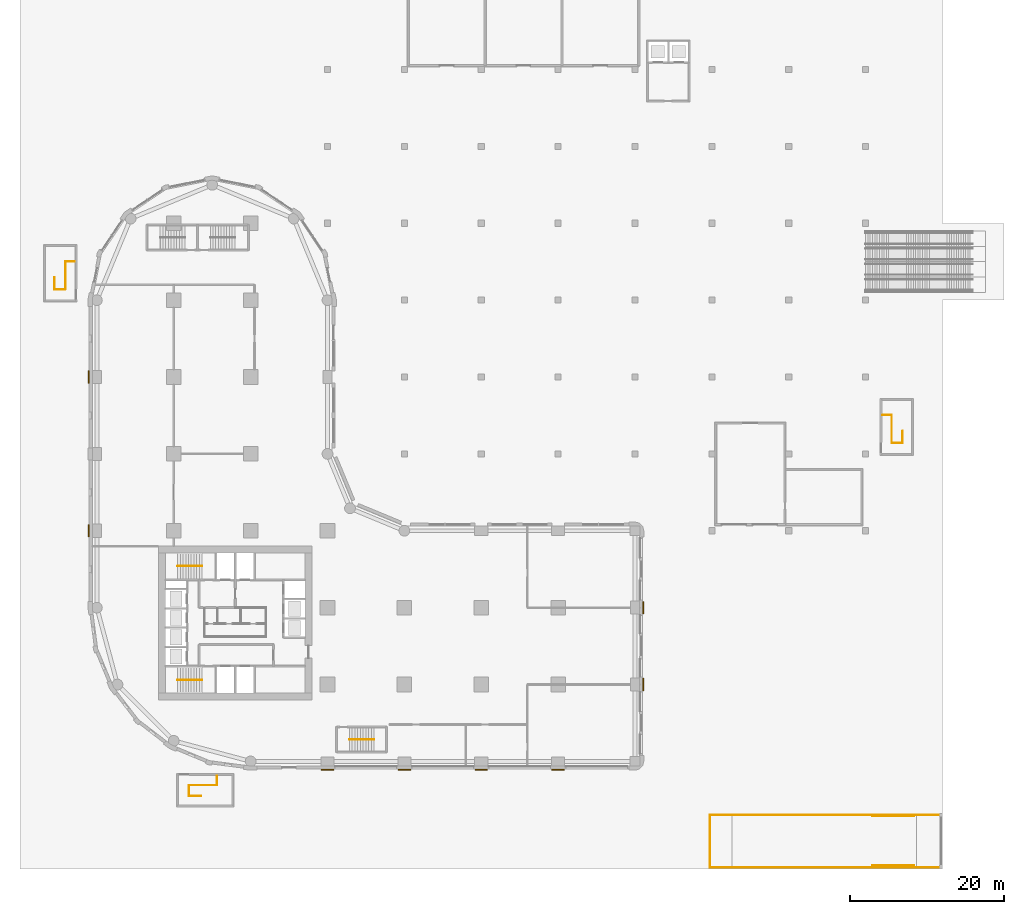
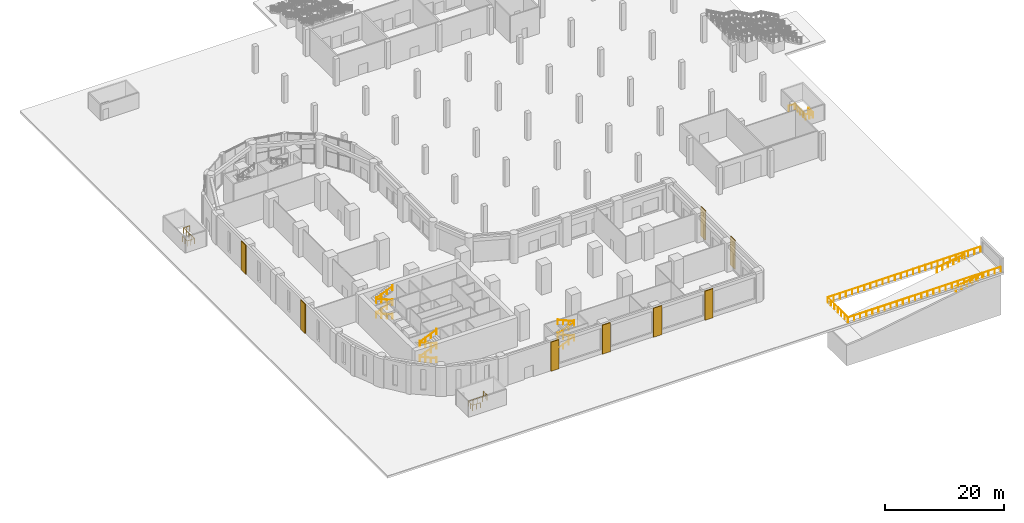
# One storey, part 16 of 21: 20 railings, 8 coverings.
"""IFC4 building model written with IfcOpenShell, lengths in metres."""

from ifc_helpers import new_model, si_unit, direction, frame, origin, origin_2d, place, context, subcontext, project, spatial, polyline, circle, outline, extrude, material, layer, layer_set, type_object, element, save


model = new_model("IFC4")

# Units and contexts
model_context = context("Model", 3, precision=1e-05, world=origin(), true_north=direction((0.0, 1.0)))
body_context = subcontext(model_context, "Body", "Model", "MODEL_VIEW")
ifc_project = project(units=[si_unit("LENGTHUNIT", "METRE"), si_unit("AREAUNIT", "SQUARE_METRE"), si_unit("VOLUMEUNIT", "CUBIC_METRE"), si_unit("PLANEANGLEUNIT", "RADIAN"), si_unit("MASSUNIT", "GRAM", prefix="KILO")], contexts=[model_context])

# Site, building, storey
site_placement = place(None, origin())
site = spatial("IfcSite", under=ifc_project, at=site_placement, CompositionType="ELEMENT")
building_placement = place(site_placement, origin())
building = spatial("IfcBuilding", under=site, at=building_placement, Name="Qaws Garden Tower", CompositionType="ELEMENT")
storey_placement = place(building_placement, origin())
storey = spatial("IfcBuildingStorey", under=building, at=storey_placement, Name="L00", CompositionType="ELEMENT", Elevation=0.0)

# Railings
ifc_material_1 = material(Name="Steel S355", Category="steel")
railing_type_1 = type_object("IfcRailingType", Name="Guard steel balustrade 1100", PredefinedType="GUARDRAIL", material=ifc_material_1)
railing_1_placement = place(storey_placement, frame((109.5, -13.800048828125, 0.0)))
element("IfcRailing", 1, at=railing_1_placement, inside=storey, type_object=railing_type_1, Name="Ramp guard south", PredefinedType="GUARDRAIL", context=body_context, shape_type="SweptSolid", body=[
    extrude(circle(Radius=0.02392578125, at=origin_2d()), frame((0.0, 0.0, 1.076171875), z_axis=(-1.0, 0.0, 0.0), x_axis=(0.0, -1.0, 0.0)), (0.0, 0.0, 1.0), 29.75),
    extrude(circle(Radius=0.02099609375, at=origin_2d()), origin(), (0.0, 0.0, 1.0), 1.052001953125),
    extrude(circle(Radius=0.02099609375, at=origin_2d()), frame((-1.18994140625, 0.0, 0.0)), (0.0, 0.0, 1.0), 1.052001953125),
    extrude(circle(Radius=0.02099609375, at=origin_2d()), frame((-2.3798828125, 0.0, 0.0)), (0.0, 0.0, 1.0), 1.052001953125),
    extrude(circle(Radius=0.02099609375, at=origin_2d()), frame((-3.570068359375, 0.0, 0.0)), (0.0, 0.0, 1.0), 1.052001953125),
    extrude(circle(Radius=0.02099609375, at=origin_2d()), frame((-4.760009765625, 0.0, 0.0)), (0.0, 0.0, 1.0), 1.052001953125),
    extrude(circle(Radius=0.02099609375, at=origin_2d()), frame((-5.949951171875, 0.0, 0.0)), (0.0, 0.0, 1.0), 1.052001953125),
    extrude(circle(Radius=0.02099609375, at=origin_2d()), frame((-7.139892578125, 0.0, 0.0)), (0.0, 0.0, 1.0), 1.052001953125),
    extrude(circle(Radius=0.02099609375, at=origin_2d()), frame((-8.330078125, 0.0, 0.0)), (0.0, 0.0, 1.0), 1.052001953125),
    extrude(circle(Radius=0.02099609375, at=origin_2d()), frame((-9.52001953125, 0.0, 0.0)), (0.0, 0.0, 1.0), 1.052001953125),
    extrude(circle(Radius=0.02099609375, at=origin_2d()), frame((-10.7099609375, 0.0, 0.0)), (0.0, 0.0, 1.0), 1.052001953125),
    extrude(circle(Radius=0.02099609375, at=origin_2d()), frame((-11.89990234375, 0.0, 0.0)), (0.0, 0.0, 1.0), 1.052001953125),
    extrude(circle(Radius=0.02099609375, at=origin_2d()), frame((-13.090087890625, 0.0, 0.0)), (0.0, 0.0, 1.0), 1.052001953125),
    extrude(circle(Radius=0.02099609375, at=origin_2d()), frame((-14.280029296875, 0.0, 0.0)), (0.0, 0.0, 1.0), 1.052001953125),
    extrude(circle(Radius=0.02099609375, at=origin_2d()), frame((-15.469970703125, 0.0, 0.0)), (0.0, 0.0, 1.0), 1.052001953125),
    extrude(circle(Radius=0.02099609375, at=origin_2d()), frame((-16.659912109375, 0.0, 0.0)), (0.0, 0.0, 1.0), 1.052001953125),
    extrude(circle(Radius=0.02099609375, at=origin_2d()), frame((-17.85009765625, 0.0, 0.0)), (0.0, 0.0, 1.0), 1.052001953125),
    extrude(circle(Radius=0.02099609375, at=origin_2d()), frame((-19.0400390625, 0.0, 0.0)), (0.0, 0.0, 1.0), 1.052001953125),
    extrude(circle(Radius=0.02099609375, at=origin_2d()), frame((-20.22998046875, 0.0, 0.0)), (0.0, 0.0, 1.0), 1.052001953125),
    extrude(circle(Radius=0.02099609375, at=origin_2d()), frame((-21.419921875, 0.0, 0.0)), (0.0, 0.0, 1.0), 1.052001953125),
    extrude(circle(Radius=0.02099609375, at=origin_2d()), frame((-22.610107421875, 0.0, 0.0)), (0.0, 0.0, 1.0), 1.052001953125),
    extrude(circle(Radius=0.02099609375, at=origin_2d()), frame((-23.800048828125, 0.0, 0.0)), (0.0, 0.0, 1.0), 1.052001953125),
    extrude(circle(Radius=0.02099609375, at=origin_2d()), frame((-24.989990234375, 0.0, 0.0)), (0.0, 0.0, 1.0), 1.052001953125),
    extrude(circle(Radius=0.02099609375, at=origin_2d()), frame((-26.179931640625, 0.0, 0.0)), (0.0, 0.0, 1.0), 1.052001953125),
    extrude(circle(Radius=0.02099609375, at=origin_2d()), frame((-27.3701171875, 0.0, 0.0)), (0.0, 0.0, 1.0), 1.052001953125),
    extrude(circle(Radius=0.02099609375, at=origin_2d()), frame((-28.56005859375, 0.0, 0.0)), (0.0, 0.0, 1.0), 1.052001953125),
    extrude(circle(Radius=0.02099609375, at=origin_2d()), frame((-29.75, 0.0, 0.0)), (0.0, 0.0, 1.0), 1.052001953125),
])
railing_2_placement = place(storey_placement, frame((79.75, -13.800048828125, 0.0)))
element("IfcRailing", 2, at=railing_2_placement, inside=storey, type_object=railing_type_1, Name="Ramp guard west end", PredefinedType="GUARDRAIL", context=body_context, shape_type="SweptSolid", body=[
    extrude(circle(Radius=0.02392578125, at=origin_2d()), frame((0.0, 0.0, 1.076171875), z_axis=(0.0, 1.0, 0.0), x_axis=(-1.0, 0.0, 0.0)), (0.0, 0.0, 1.0), 6.85009765625),
    extrude(circle(Radius=0.02099609375, at=origin_2d()), origin(), (0.0, 0.0, 1.0), 1.052001953125),
    extrude(circle(Radius=0.02099609375, at=origin_2d()), frame((0.0, 1.1416015625, 0.0)), (0.0, 0.0, 1.0), 1.052001953125),
    extrude(circle(Radius=0.02099609375, at=origin_2d()), frame((0.0, 2.283447265625, 0.0)), (0.0, 0.0, 1.0), 1.052001953125),
    extrude(circle(Radius=0.02099609375, at=origin_2d()), frame((0.0, 3.425048828125, 0.0)), (0.0, 0.0, 1.0), 1.052001953125),
    extrude(circle(Radius=0.02099609375, at=origin_2d()), frame((0.0, 4.566650390625, 0.0)), (0.0, 0.0, 1.0), 1.052001953125),
    extrude(circle(Radius=0.02099609375, at=origin_2d()), frame((0.0, 5.70849609375, 0.0)), (0.0, 0.0, 1.0), 1.052001953125),
    extrude(circle(Radius=0.02099609375, at=origin_2d()), frame((0.0, 6.85009765625, 0.0)), (0.0, 0.0, 1.0), 1.052001953125),
])
railing_3_placement = place(storey_placement, frame((79.75, -6.949951171875, 0.0)))
element("IfcRailing", 3, at=railing_3_placement, inside=storey, type_object=railing_type_1, Name="Ramp guard north", PredefinedType="GUARDRAIL", context=body_context, shape_type="SweptSolid", body=[
    extrude(circle(Radius=0.02392578125, at=origin_2d()), frame((0.0, 0.0, 1.076171875), z_axis=(1.0, 0.0, 0.0), x_axis=(0.0, 1.0, 0.0)), (0.0, 0.0, 1.0), 29.75),
    extrude(circle(Radius=0.02099609375, at=origin_2d()), origin(), (0.0, 0.0, 1.0), 1.052001953125),
    extrude(circle(Radius=0.02099609375, at=origin_2d()), frame((1.18994140625, 0.0, 0.0)), (0.0, 0.0, 1.0), 1.052001953125),
    extrude(circle(Radius=0.02099609375, at=origin_2d()), frame((2.3798828125, 0.0, 0.0)), (0.0, 0.0, 1.0), 1.052001953125),
    extrude(circle(Radius=0.02099609375, at=origin_2d()), frame((3.570068359375, 0.0, 0.0)), (0.0, 0.0, 1.0), 1.052001953125),
    extrude(circle(Radius=0.02099609375, at=origin_2d()), frame((4.760009765625, 0.0, 0.0)), (0.0, 0.0, 1.0), 1.052001953125),
    extrude(circle(Radius=0.02099609375, at=origin_2d()), frame((5.949951171875, 0.0, 0.0)), (0.0, 0.0, 1.0), 1.052001953125),
    extrude(circle(Radius=0.02099609375, at=origin_2d()), frame((7.139892578125, 0.0, 0.0)), (0.0, 0.0, 1.0), 1.052001953125),
    extrude(circle(Radius=0.02099609375, at=origin_2d()), frame((8.330078125, 0.0, 0.0)), (0.0, 0.0, 1.0), 1.052001953125),
    extrude(circle(Radius=0.02099609375, at=origin_2d()), frame((9.52001953125, 0.0, 0.0)), (0.0, 0.0, 1.0), 1.052001953125),
    extrude(circle(Radius=0.02099609375, at=origin_2d()), frame((10.7099609375, 0.0, 0.0)), (0.0, 0.0, 1.0), 1.052001953125),
    extrude(circle(Radius=0.02099609375, at=origin_2d()), frame((11.89990234375, 0.0, 0.0)), (0.0, 0.0, 1.0), 1.052001953125),
    extrude(circle(Radius=0.02099609375, at=origin_2d()), frame((13.090087890625, 0.0, 0.0)), (0.0, 0.0, 1.0), 1.052001953125),
    extrude(circle(Radius=0.02099609375, at=origin_2d()), frame((14.280029296875, 0.0, 0.0)), (0.0, 0.0, 1.0), 1.052001953125),
    extrude(circle(Radius=0.02099609375, at=origin_2d()), frame((15.469970703125, 0.0, 0.0)), (0.0, 0.0, 1.0), 1.052001953125),
    extrude(circle(Radius=0.02099609375, at=origin_2d()), frame((16.659912109375, 0.0, 0.0)), (0.0, 0.0, 1.0), 1.052001953125),
    extrude(circle(Radius=0.02099609375, at=origin_2d()), frame((17.85009765625, 0.0, 0.0)), (0.0, 0.0, 1.0), 1.052001953125),
    extrude(circle(Radius=0.02099609375, at=origin_2d()), frame((19.0400390625, 0.0, 0.0)), (0.0, 0.0, 1.0), 1.052001953125),
    extrude(circle(Radius=0.02099609375, at=origin_2d()), frame((20.22998046875, 0.0, 0.0)), (0.0, 0.0, 1.0), 1.052001953125),
    extrude(circle(Radius=0.02099609375, at=origin_2d()), frame((21.419921875, 0.0, 0.0)), (0.0, 0.0, 1.0), 1.052001953125),
    extrude(circle(Radius=0.02099609375, at=origin_2d()), frame((22.610107421875, 0.0, 0.0)), (0.0, 0.0, 1.0), 1.052001953125),
    extrude(circle(Radius=0.02099609375, at=origin_2d()), frame((23.800048828125, 0.0, 0.0)), (0.0, 0.0, 1.0), 1.052001953125),
    extrude(circle(Radius=0.02099609375, at=origin_2d()), frame((24.989990234375, 0.0, 0.0)), (0.0, 0.0, 1.0), 1.052001953125),
    extrude(circle(Radius=0.02099609375, at=origin_2d()), frame((26.179931640625, 0.0, 0.0)), (0.0, 0.0, 1.0), 1.052001953125),
    extrude(circle(Radius=0.02099609375, at=origin_2d()), frame((27.3701171875, 0.0, 0.0)), (0.0, 0.0, 1.0), 1.052001953125),
    extrude(circle(Radius=0.02099609375, at=origin_2d()), frame((28.56005859375, 0.0, 0.0)), (0.0, 0.0, 1.0), 1.052001953125),
    extrude(circle(Radius=0.02099609375, at=origin_2d()), frame((29.75, 0.0, 0.0)), (0.0, 0.0, 1.0), 1.052001953125),
])
for number, where, name in (
    (4, (106.300048828125, -7.139892578125, -0.300048828125), "Ramp guard north on ramp"),
    (5, (106.300048828125, -13.56005859375, -0.300048828125), "Ramp guard south on ramp"),
):
    element("IfcRailing", number, at=place(storey_placement, frame(where)), inside=storey, type_object=railing_type_1, Name=name, PredefinedType="GUARDRAIL", context=body_context, shape_type="SweptSolid", body=[
        extrude(circle(Radius=0.02392578125, at=origin_2d()), frame((0.0, 0.0, 1.076171875), z_axis=(-0.986397539407, 0.0, -0.164377292385), x_axis=(0.0, -1.0, 0.0)), (0.0, 0.0, 1.0), 5.474609375),
        extrude(circle(Radius=0.02099609375, at=origin_2d()), origin(), (0.0, 0.0, 1.0), 1.052001953125),
        extrude(circle(Radius=0.02099609375, at=origin_2d()), frame((-1.080078125, 0.0, -0.179931640625)), (0.0, 0.0, 1.0), 1.052001953125),
        extrude(circle(Radius=0.02099609375, at=origin_2d()), frame((-2.16015625, 0.0, -0.35986328125)), (0.0, 0.0, 1.0), 1.052001953125),
        extrude(circle(Radius=0.02099609375, at=origin_2d()), frame((-3.239990234375, 0.0, -0.5400390625)), (0.0, 0.0, 1.0), 1.052001953125),
        extrude(circle(Radius=0.02099609375, at=origin_2d()), frame((-4.320068359375, 0.0, -0.719970703125)), (0.0, 0.0, 1.0), 1.052001953125),
        extrude(circle(Radius=0.02099609375, at=origin_2d()), frame((-5.400146484375, 0.0, -0.89990234375)), (0.0, 0.0, 1.0), 1.052001953125),
    ])
railing_4_placement = place(storey_placement, frame((102.199951171875, 45.0400390625, 0.0)))
element("IfcRailing", 6, at=railing_4_placement, inside=storey, type_object=railing_type_1, Name="Stair opening guard", PredefinedType="GUARDRAIL", context=body_context, shape_type="SweptSolid", body=[
    extrude(circle(Radius=0.02392578125, at=origin_2d()), frame((0.0, 0.0, 1.076171875), z_axis=(1.0, 0.0, 0.0), x_axis=(0.0, 1.0, 0.0)), (0.0, 0.0, 1.0), 1.199951171875),
    extrude(circle(Radius=0.02392578125, at=origin_2d()), frame((1.199951171875, 0.0, 1.076171875), z_axis=(0.0, -1.0, 0.0), x_axis=(1.0, 0.0, 0.0)), (0.0, 0.0, 1.0), 3.64013671875),
    extrude(circle(Radius=0.02392578125, at=origin_2d()), frame((1.199951171875, -3.64013671875, 1.076171875), z_axis=(1.0, 0.0, 0.0), x_axis=(0.0, 1.0, 0.0)), (0.0, 0.0, 1.0), 1.400146484375),
    extrude(circle(Radius=0.02392578125, at=origin_2d()), frame((2.60009765625, -3.64013671875, 1.076171875), z_axis=(0.0, 1.0, 0.0), x_axis=(-1.0, 0.0, 0.0)), (0.0, 0.0, 1.0), 1.56005859375),
    extrude(circle(Radius=0.02099609375, at=origin_2d()), origin(), (0.0, 0.0, 1.0), 1.052001953125),
    extrude(circle(Radius=0.02099609375, at=origin_2d()), frame((1.199951171875, 0.0, 0.0)), (0.0, 0.0, 1.0), 1.052001953125),
    extrude(circle(Radius=0.02099609375, at=origin_2d()), frame((1.199951171875, -0.91015625, 0.0)), (0.0, 0.0, 1.0), 1.052001953125),
    extrude(circle(Radius=0.02099609375, at=origin_2d()), frame((1.199951171875, -1.820068359375, 0.0)), (0.0, 0.0, 1.0), 1.052001953125),
    extrude(circle(Radius=0.02099609375, at=origin_2d()), frame((1.199951171875, -2.72998046875, 0.0)), (0.0, 0.0, 1.0), 1.052001953125),
    extrude(circle(Radius=0.02099609375, at=origin_2d()), frame((1.199951171875, -3.64013671875, 0.0)), (0.0, 0.0, 1.0), 1.052001953125),
    extrude(circle(Radius=0.02099609375, at=origin_2d()), frame((1.89990234375, -3.64013671875, 0.0)), (0.0, 0.0, 1.0), 1.052001953125),
    extrude(circle(Radius=0.02099609375, at=origin_2d()), frame((2.60009765625, -3.64013671875, 0.0)), (0.0, 0.0, 1.0), 1.052001953125),
    extrude(circle(Radius=0.02099609375, at=origin_2d()), frame((2.60009765625, -2.860107421875, 0.0)), (0.0, 0.0, 1.0), 1.052001953125),
    extrude(circle(Radius=0.02099609375, at=origin_2d()), frame((2.60009765625, -2.080078125, 0.0)), (0.0, 0.0, 1.0), 1.052001953125),
])
railing_5_placement = place(storey_placement, frame((-2.89990234375, 65.0400390625, 0.0)))
element("IfcRailing", 7, at=railing_5_placement, inside=storey, type_object=railing_type_1, Name="Stair opening guard", PredefinedType="GUARDRAIL", context=body_context, shape_type="SweptSolid", body=[
    extrude(circle(Radius=0.02392578125, at=origin_2d()), frame((0.0, 0.0, 1.076171875), z_axis=(-1.0, 0.0, 0.0), x_axis=(0.0, -1.0, 0.0)), (0.0, 0.0, 1.0), 1.2001953125),
    extrude(circle(Radius=0.02392578125, at=origin_2d()), frame((-1.2001953125, 0.0, 1.076171875), z_axis=(0.0, -1.0, 0.0), x_axis=(1.0, 0.0, 0.0)), (0.0, 0.0, 1.0), 3.64013671875),
    extrude(circle(Radius=0.02392578125, at=origin_2d()), frame((-1.2001953125, -3.64013671875, 1.076171875), z_axis=(-1.0, 0.0, 0.0), x_axis=(0.0, -1.0, 0.0)), (0.0, 0.0, 1.0), 1.39990234375),
    extrude(circle(Radius=0.02392578125, at=origin_2d()), frame((-2.60009765625, -3.64013671875, 1.076171875), z_axis=(0.0, 1.0, 0.0), x_axis=(-1.0, 0.0, 0.0)), (0.0, 0.0, 1.0), 1.56005859375),
    extrude(circle(Radius=0.02099609375, at=origin_2d()), origin(), (0.0, 0.0, 1.0), 1.052001953125),
    extrude(circle(Radius=0.02099609375, at=origin_2d()), frame((-0.60009765625, 0.0, 0.0)), (0.0, 0.0, 1.0), 1.052001953125),
    extrude(circle(Radius=0.02099609375, at=origin_2d()), frame((-1.2001953125, 0.0, 0.0)), (0.0, 0.0, 1.0), 1.052001953125),
    extrude(circle(Radius=0.02099609375, at=origin_2d()), frame((-1.2001953125, -0.91015625, 0.0)), (0.0, 0.0, 1.0), 1.052001953125),
    extrude(circle(Radius=0.02099609375, at=origin_2d()), frame((-1.2001953125, -1.820068359375, 0.0)), (0.0, 0.0, 1.0), 1.052001953125),
    extrude(circle(Radius=0.02099609375, at=origin_2d()), frame((-1.2001953125, -2.72998046875, 0.0)), (0.0, 0.0, 1.0), 1.052001953125),
    extrude(circle(Radius=0.02099609375, at=origin_2d()), frame((-1.2001953125, -3.64013671875, 0.0)), (0.0, 0.0, 1.0), 1.052001953125),
    extrude(circle(Radius=0.02099609375, at=origin_2d()), frame((-1.900146484375, -3.64013671875, 0.0)), (0.0, 0.0, 1.0), 1.052001953125),
    extrude(circle(Radius=0.02099609375, at=origin_2d()), frame((-2.60009765625, -3.64013671875, 0.0)), (0.0, 0.0, 1.0), 1.052001953125),
    extrude(circle(Radius=0.02099609375, at=origin_2d()), frame((-2.60009765625, -2.860107421875, 0.0)), (0.0, 0.0, 1.0), 1.052001953125),
    extrude(circle(Radius=0.02099609375, at=origin_2d()), frame((-2.60009765625, -2.080078125, 0.0)), (0.0, 0.0, 1.0), 1.052001953125),
])
railing_6_placement = place(storey_placement, frame((15.639892578125, -1.89990234375, 0.0)))
element("IfcRailing", 8, at=railing_6_placement, inside=storey, type_object=railing_type_1, Name="Stair opening guard", PredefinedType="GUARDRAIL", context=body_context, shape_type="SweptSolid", body=[
    extrude(circle(Radius=0.02392578125, at=origin_2d()), frame((0.0, 0.0, 1.076171875), z_axis=(0.0, -1.0, 0.0), x_axis=(1.0, 0.0, 0.0)), (0.0, 0.0, 1.0), 1.2001953125),
    extrude(circle(Radius=0.02392578125, at=origin_2d()), frame((0.0, -1.2001953125, 1.076171875), z_axis=(-1.0, 0.0, 0.0), x_axis=(0.0, -1.0, 0.0)), (0.0, 0.0, 1.0), 3.639892578125),
    extrude(circle(Radius=0.02392578125, at=origin_2d()), frame((-3.639892578125, -1.2001953125, 1.076171875), z_axis=(0.0, -1.0, 0.0), x_axis=(1.0, 0.0, 0.0)), (0.0, 0.0, 1.0), 1.39990234375),
    extrude(circle(Radius=0.02392578125, at=origin_2d()), frame((-3.639892578125, -2.60009765625, 1.076171875), z_axis=(1.0, 0.0, 0.0), x_axis=(0.0, 1.0, 0.0)), (0.0, 0.0, 1.0), 1.56005859375),
    extrude(circle(Radius=0.02099609375, at=origin_2d()), origin(), (0.0, 0.0, 1.0), 1.052001953125),
    extrude(circle(Radius=0.02099609375, at=origin_2d()), frame((0.0, -0.60009765625, 0.0)), (0.0, 0.0, 1.0), 1.052001953125),
    extrude(circle(Radius=0.02099609375, at=origin_2d()), frame((0.0, -1.2001953125, 0.0)), (0.0, 0.0, 1.0), 1.052001953125),
    extrude(circle(Radius=0.02099609375, at=origin_2d()), frame((-0.909912109375, -1.2001953125, 0.0)), (0.0, 0.0, 1.0), 1.052001953125),
    extrude(circle(Radius=0.02099609375, at=origin_2d()), frame((-1.81982421875, -1.2001953125, 0.0)), (0.0, 0.0, 1.0), 1.052001953125),
    extrude(circle(Radius=0.02099609375, at=origin_2d()), frame((-2.72998046875, -1.2001953125, 0.0)), (0.0, 0.0, 1.0), 1.052001953125),
    extrude(circle(Radius=0.02099609375, at=origin_2d()), frame((-3.639892578125, -1.2001953125, 0.0)), (0.0, 0.0, 1.0), 1.052001953125),
    extrude(circle(Radius=0.02099609375, at=origin_2d()), frame((-3.639892578125, -1.900146484375, 0.0)), (0.0, 0.0, 1.0), 1.052001953125),
    extrude(circle(Radius=0.02099609375, at=origin_2d()), frame((-3.639892578125, -2.60009765625, 0.0)), (0.0, 0.0, 1.0), 1.052001953125),
    extrude(circle(Radius=0.02099609375, at=origin_2d()), frame((-2.85986328125, -2.60009765625, 0.0)), (0.0, 0.0, 1.0), 1.052001953125),
    extrude(circle(Radius=0.02099609375, at=origin_2d()), frame((-2.079833984375, -2.60009765625, 0.0)), (0.0, 0.0, 1.0), 1.052001953125),
])
ifc_material_2 = material(Name="Steel S355", Category="steel")
railing_type_2 = type_object("IfcRailingType", Name="Stair handrail 900", PredefinedType="HANDRAIL", material=ifc_material_2)
railing_7_placement = place(storey_placement, frame((13.699951171875, 10.60009765625, 0.14990234375)))
element("IfcRailing", 9, at=railing_7_placement, inside=storey, type_object=railing_type_2, Name="Stair 1 handrail", PredefinedType="HANDRAIL", context=body_context, shape_type="SweptSolid", body=[
    extrude(circle(Radius=0.02392578125, at=origin_2d()), frame((0.0, 0.0, 0.8759765625), z_axis=(-0.921521658771, 0.0, 0.388326965862), x_axis=(0.0, -1.0, 0.0)), (0.0, 0.0, 1.0), 3.476806640625),
    extrude(circle(Radius=0.02099609375, at=origin_2d()), origin(), (0.0, 0.0, 1.0), 1.050048828125),
    extrude(circle(Radius=0.02099609375, at=origin_2d()), frame((-1.06787109375, 0.0, 0.449951171875)), (0.0, 0.0, 1.0), 0.851806640625),
    extrude(circle(Radius=0.02099609375, at=origin_2d()), frame((-2.135986328125, 0.0, 0.900146484375)), (0.0, 0.0, 1.0), 0.851806640625),
    extrude(circle(Radius=0.02099609375, at=origin_2d()), frame((-3.203857421875, 0.0, 1.35009765625)), (0.0, 0.0, 1.0), 1.050048828125),
])
railing_8_placement = place(storey_placement, frame((10.49609375, 10.60009765625, 1.64990234375)))
element("IfcRailing", 10, at=railing_8_placement, inside=storey, type_object=railing_type_2, Name="Stair 1 handrail", PredefinedType="HANDRAIL", context=body_context, shape_type="SweptSolid", body=[
    extrude(circle(Radius=0.02392578125, at=origin_2d()), frame((0.0, 0.0, 0.8759765625), z_axis=(0.921521658771, 0.0, 0.388326965862), x_axis=(0.0, 1.0, 0.0)), (0.0, 0.0, 1.0), 3.476806640625),
    extrude(circle(Radius=0.02099609375, at=origin_2d()), origin(), (0.0, 0.0, 1.0), 1.050048828125),
    extrude(circle(Radius=0.02099609375, at=origin_2d()), frame((1.06787109375, 0.0, 0.449951171875)), (0.0, 0.0, 1.0), 0.851806640625),
    extrude(circle(Radius=0.02099609375, at=origin_2d()), frame((2.135986328125, 0.0, 0.900146484375)), (0.0, 0.0, 1.0), 0.851806640625),
    extrude(circle(Radius=0.02099609375, at=origin_2d()), frame((3.203857421875, 0.0, 1.35009765625)), (0.0, 0.0, 1.0), 1.050048828125),
])
railing_9_placement = place(storey_placement, frame((13.699951171875, 10.60009765625, 3.14990234375)))
element("IfcRailing", 11, at=railing_9_placement, inside=storey, type_object=railing_type_2, Name="Stair 1 handrail", PredefinedType="HANDRAIL", context=body_context, shape_type="SweptSolid", body=[
    extrude(circle(Radius=0.02392578125, at=origin_2d()), frame((0.0, 0.0, 0.8759765625), z_axis=(-0.921521658771, 0.0, 0.388326965862), x_axis=(0.0, -1.0, 0.0)), (0.0, 0.0, 1.0), 3.476806640625),
    extrude(circle(Radius=0.02099609375, at=origin_2d()), origin(), (0.0, 0.0, 1.0), 1.050048828125),
    extrude(circle(Radius=0.02099609375, at=origin_2d()), frame((-1.06787109375, 0.0, 0.449951171875)), (0.0, 0.0, 1.0), 0.851806640625),
    extrude(circle(Radius=0.02099609375, at=origin_2d()), frame((-2.135986328125, 0.0, 0.900146484375)), (0.0, 0.0, 1.0), 0.851806640625),
    extrude(circle(Radius=0.02099609375, at=origin_2d()), frame((-3.203857421875, 0.0, 1.35009765625)), (0.0, 0.0, 1.0), 1.050048828125),
])
railing_10_placement = place(storey_placement, frame((10.49609375, 10.60009765625, 4.64990234375)))
element("IfcRailing", 12, at=railing_10_placement, inside=storey, type_object=railing_type_2, Name="Stair 1 handrail", PredefinedType="HANDRAIL", context=body_context, shape_type="SweptSolid", body=[
    extrude(circle(Radius=0.02392578125, at=origin_2d()), frame((0.0, 0.0, 0.8759765625), z_axis=(0.921521658771, 0.0, 0.388326965862), x_axis=(0.0, 1.0, 0.0)), (0.0, 0.0, 1.0), 3.476806640625),
    extrude(circle(Radius=0.02099609375, at=origin_2d()), origin(), (0.0, 0.0, 1.0), 1.050048828125),
    extrude(circle(Radius=0.02099609375, at=origin_2d()), frame((1.06787109375, 0.0, 0.449951171875)), (0.0, 0.0, 1.0), 0.851806640625),
    extrude(circle(Radius=0.02099609375, at=origin_2d()), frame((2.135986328125, 0.0, 0.900146484375)), (0.0, 0.0, 1.0), 0.851806640625),
    extrude(circle(Radius=0.02099609375, at=origin_2d()), frame((3.203857421875, 0.0, 1.35009765625)), (0.0, 0.0, 1.0), 1.050048828125),
])
railing_11_placement = place(storey_placement, frame((13.699951171875, 25.39990234375, 0.14990234375)))
element("IfcRailing", 13, at=railing_11_placement, inside=storey, type_object=railing_type_2, Name="Stair 4 handrail", PredefinedType="HANDRAIL", context=body_context, shape_type="SweptSolid", body=[
    extrude(circle(Radius=0.02392578125, at=origin_2d()), frame((0.0, 0.0, 0.8759765625), z_axis=(-0.921521658771, 0.0, 0.388326965862), x_axis=(0.0, -1.0, 0.0)), (0.0, 0.0, 1.0), 3.476806640625),
    extrude(circle(Radius=0.02099609375, at=origin_2d()), origin(), (0.0, 0.0, 1.0), 1.050048828125),
    extrude(circle(Radius=0.02099609375, at=origin_2d()), frame((-1.06787109375, 0.0, 0.449951171875)), (0.0, 0.0, 1.0), 0.851806640625),
    extrude(circle(Radius=0.02099609375, at=origin_2d()), frame((-2.135986328125, 0.0, 0.900146484375)), (0.0, 0.0, 1.0), 0.851806640625),
    extrude(circle(Radius=0.02099609375, at=origin_2d()), frame((-3.203857421875, 0.0, 1.35009765625)), (0.0, 0.0, 1.0), 1.050048828125),
])
railing_12_placement = place(storey_placement, frame((10.49609375, 25.39990234375, 1.64990234375)))
element("IfcRailing", 14, at=railing_12_placement, inside=storey, type_object=railing_type_2, Name="Stair 4 handrail", PredefinedType="HANDRAIL", context=body_context, shape_type="SweptSolid", body=[
    extrude(circle(Radius=0.02392578125, at=origin_2d()), frame((0.0, 0.0, 0.8759765625), z_axis=(0.921521658771, 0.0, 0.388326965862), x_axis=(0.0, 1.0, 0.0)), (0.0, 0.0, 1.0), 3.476806640625),
    extrude(circle(Radius=0.02099609375, at=origin_2d()), origin(), (0.0, 0.0, 1.0), 1.050048828125),
    extrude(circle(Radius=0.02099609375, at=origin_2d()), frame((1.06787109375, 0.0, 0.449951171875)), (0.0, 0.0, 1.0), 0.851806640625),
    extrude(circle(Radius=0.02099609375, at=origin_2d()), frame((2.135986328125, 0.0, 0.900146484375)), (0.0, 0.0, 1.0), 0.851806640625),
    extrude(circle(Radius=0.02099609375, at=origin_2d()), frame((3.203857421875, 0.0, 1.35009765625)), (0.0, 0.0, 1.0), 1.050048828125),
])
railing_13_placement = place(storey_placement, frame((13.699951171875, 25.39990234375, 3.14990234375)))
element("IfcRailing", 15, at=railing_13_placement, inside=storey, type_object=railing_type_2, Name="Stair 4 handrail", PredefinedType="HANDRAIL", context=body_context, shape_type="SweptSolid", body=[
    extrude(circle(Radius=0.02392578125, at=origin_2d()), frame((0.0, 0.0, 0.8759765625), z_axis=(-0.921521658771, 0.0, 0.388326965862), x_axis=(0.0, -1.0, 0.0)), (0.0, 0.0, 1.0), 3.476806640625),
    extrude(circle(Radius=0.02099609375, at=origin_2d()), origin(), (0.0, 0.0, 1.0), 1.050048828125),
    extrude(circle(Radius=0.02099609375, at=origin_2d()), frame((-1.06787109375, 0.0, 0.449951171875)), (0.0, 0.0, 1.0), 0.851806640625),
    extrude(circle(Radius=0.02099609375, at=origin_2d()), frame((-2.135986328125, 0.0, 0.900146484375)), (0.0, 0.0, 1.0), 0.851806640625),
    extrude(circle(Radius=0.02099609375, at=origin_2d()), frame((-3.203857421875, 0.0, 1.35009765625)), (0.0, 0.0, 1.0), 1.050048828125),
])
for number, where, name in (
    (16, (10.49609375, 25.39990234375, 4.64990234375), "Stair 4 handrail"),
    (17, (32.85009765625, 2.85009765625, 0.14990234375), "Stair 5 handrail"),
):
    element("IfcRailing", number, at=place(storey_placement, frame(where)), inside=storey, type_object=railing_type_2, Name=name, PredefinedType="HANDRAIL", context=body_context, shape_type="SweptSolid", body=[
        extrude(circle(Radius=0.02392578125, at=origin_2d()), frame((0.0, 0.0, 0.8759765625), z_axis=(0.921521658771, 0.0, 0.388326965862), x_axis=(0.0, 1.0, 0.0)), (0.0, 0.0, 1.0), 3.476806640625),
        extrude(circle(Radius=0.02099609375, at=origin_2d()), origin(), (0.0, 0.0, 1.0), 1.050048828125),
        extrude(circle(Radius=0.02099609375, at=origin_2d()), frame((1.06787109375, 0.0, 0.449951171875)), (0.0, 0.0, 1.0), 0.851806640625),
        extrude(circle(Radius=0.02099609375, at=origin_2d()), frame((2.135986328125, 0.0, 0.900146484375)), (0.0, 0.0, 1.0), 0.851806640625),
        extrude(circle(Radius=0.02099609375, at=origin_2d()), frame((3.203857421875, 0.0, 1.35009765625)), (0.0, 0.0, 1.0), 1.050048828125),
    ])
railing_14_placement = place(storey_placement, frame((36.053955078125, 2.85009765625, 1.64990234375)))
element("IfcRailing", 18, at=railing_14_placement, inside=storey, type_object=railing_type_2, Name="Stair 5 handrail", PredefinedType="HANDRAIL", context=body_context, shape_type="SweptSolid", body=[
    extrude(circle(Radius=0.02392578125, at=origin_2d()), frame((0.0, 0.0, 0.8759765625), z_axis=(-0.921521658771, 0.0, 0.388326965862), x_axis=(0.0, -1.0, 0.0)), (0.0, 0.0, 1.0), 3.476806640625),
    extrude(circle(Radius=0.02099609375, at=origin_2d()), origin(), (0.0, 0.0, 1.0), 1.050048828125),
    extrude(circle(Radius=0.02099609375, at=origin_2d()), frame((-1.06787109375, 0.0, 0.449951171875)), (0.0, 0.0, 1.0), 0.851806640625),
    extrude(circle(Radius=0.02099609375, at=origin_2d()), frame((-2.135986328125, 0.0, 0.900146484375)), (0.0, 0.0, 1.0), 0.851806640625),
    extrude(circle(Radius=0.02099609375, at=origin_2d()), frame((-3.203857421875, 0.0, 1.35009765625)), (0.0, 0.0, 1.0), 1.050048828125),
])
railing_15_placement = place(storey_placement, frame((32.85009765625, 2.85009765625, 3.14990234375)))
element("IfcRailing", 19, at=railing_15_placement, inside=storey, type_object=railing_type_2, Name="Stair 5 handrail", PredefinedType="HANDRAIL", context=body_context, shape_type="SweptSolid", body=[
    extrude(circle(Radius=0.02392578125, at=origin_2d()), frame((0.0, 0.0, 0.8759765625), z_axis=(0.921521658771, 0.0, 0.388326965862), x_axis=(0.0, 1.0, 0.0)), (0.0, 0.0, 1.0), 3.476806640625),
    extrude(circle(Radius=0.02099609375, at=origin_2d()), origin(), (0.0, 0.0, 1.0), 1.050048828125),
    extrude(circle(Radius=0.02099609375, at=origin_2d()), frame((1.06787109375, 0.0, 0.449951171875)), (0.0, 0.0, 1.0), 0.851806640625),
    extrude(circle(Radius=0.02099609375, at=origin_2d()), frame((2.135986328125, 0.0, 0.900146484375)), (0.0, 0.0, 1.0), 0.851806640625),
    extrude(circle(Radius=0.02099609375, at=origin_2d()), frame((3.203857421875, 0.0, 1.35009765625)), (0.0, 0.0, 1.0), 1.050048828125),
])
railing_16_placement = place(storey_placement, frame((36.053955078125, 2.85009765625, 4.64990234375)))
element("IfcRailing", 20, at=railing_16_placement, inside=storey, type_object=railing_type_2, Name="Stair 5 handrail", PredefinedType="HANDRAIL", context=body_context, shape_type="SweptSolid", body=[
    extrude(circle(Radius=0.02392578125, at=origin_2d()), frame((0.0, 0.0, 0.8759765625), z_axis=(-0.921521658771, 0.0, 0.388326965862), x_axis=(0.0, -1.0, 0.0)), (0.0, 0.0, 1.0), 3.476806640625),
    extrude(circle(Radius=0.02099609375, at=origin_2d()), origin(), (0.0, 0.0, 1.0), 1.050048828125),
    extrude(circle(Radius=0.02099609375, at=origin_2d()), frame((-1.06787109375, 0.0, 0.449951171875)), (0.0, 0.0, 1.0), 0.851806640625),
    extrude(circle(Radius=0.02099609375, at=origin_2d()), frame((-2.135986328125, 0.0, 0.900146484375)), (0.0, 0.0, 1.0), 0.851806640625),
    extrude(circle(Radius=0.02099609375, at=origin_2d()), frame((-3.203857421875, 0.0, 1.35009765625)), (0.0, 0.0, 1.0), 1.050048828125),
])

# Coverings
ifc_material_3 = material(Name="Limestone ashlar masonry", Category="masonry")
ifc_layer = layer(ifc_material_3, 0.14990234375)
ifc_layer_set = layer_set([ifc_layer], Name="Limestone ashlar masonry")
covering_type = type_object("IfcCoveringType", Name="Stone pilaster facing 150 x 1600", PredefinedType="CLADDING", material=ifc_layer_set)
placement = place(storey_placement, origin())
element("IfcCovering", 21, at=placement, inside=storey, type_object=covering_type, Name="E-L00-pier-01", PredefinedType="CLADDING", context=body_context, shape_type="SweptSolid", body=[
    extrude(outline(polyline([(29.199951171875, -1.0), (30.800048828125, -1.0), (30.800048828125, -1.14990234375), (29.199951171875, -1.14990234375), (29.199951171875, -1.0)])), origin(), (0.0, 0.0, 1.0), 6.0),
])
element("IfcCovering", 22, at=placement, inside=storey, type_object=covering_type, Name="E-L00-pier-02", PredefinedType="CLADDING", context=body_context, shape_type="SweptSolid", body=[
    extrude(outline(polyline([(39.199951171875, -1.0), (40.800048828125, -1.0), (40.800048828125, -1.14990234375), (39.199951171875, -1.14990234375), (39.199951171875, -1.0)])), origin(), (0.0, 0.0, 1.0), 6.0),
])
element("IfcCovering", 23, at=placement, inside=storey, type_object=covering_type, Name="E-L00-pier-03", PredefinedType="CLADDING", context=body_context, shape_type="SweptSolid", body=[
    extrude(outline(polyline([(49.199951171875, -1.0), (50.800048828125, -1.0), (50.800048828125, -1.14990234375), (49.199951171875, -1.14990234375), (49.199951171875, -1.0)])), origin(), (0.0, 0.0, 1.0), 6.0),
])
element("IfcCovering", 24, at=placement, inside=storey, type_object=covering_type, Name="E-L00-pier-04", PredefinedType="CLADDING", context=body_context, shape_type="SweptSolid", body=[
    extrude(outline(polyline([(59.199951171875, -1.0), (60.800048828125, -1.0), (60.800048828125, -1.14990234375), (59.199951171875, -1.14990234375), (59.199951171875, -1.0)])), origin(), (0.0, 0.0, 1.0), 6.0),
])
element("IfcCovering", 25, at=placement, inside=storey, type_object=covering_type, Name="E-L00-pier-06", PredefinedType="CLADDING", context=body_context, shape_type="SweptSolid", body=[
    extrude(outline(polyline([(71.0, 9.199951171875), (71.0, 10.800048828125), (71.14990234375, 10.800048828125), (71.14990234375, 9.199951171875), (71.0, 9.199951171875)])), origin(), (0.0, 0.0, 1.0), 6.0),
])
element("IfcCovering", 26, at=placement, inside=storey, type_object=covering_type, Name="E-L00-pier-07", PredefinedType="CLADDING", context=body_context, shape_type="SweptSolid", body=[
    extrude(outline(polyline([(71.0, 19.199951171875), (71.0, 20.800048828125), (71.14990234375, 20.800048828125), (71.14990234375, 19.199951171875), (71.0, 19.199951171875)])), origin(), (0.0, 0.0, 1.0), 6.0),
])
element("IfcCovering", 27, at=placement, inside=storey, type_object=covering_type, Name="E-L00-pier-24", PredefinedType="CLADDING", context=body_context, shape_type="SweptSolid", body=[
    extrude(outline(polyline([(-1.0, 50.800048828125), (-1.0, 49.199951171875), (-1.14990234375, 49.199951171875), (-1.14990234375, 50.800048828125), (-1.0, 50.800048828125)])), origin(), (0.0, 0.0, 1.0), 6.0),
])
element("IfcCovering", 28, at=placement, inside=storey, type_object=covering_type, Name="E-L00-pier-26", PredefinedType="CLADDING", context=body_context, shape_type="SweptSolid", body=[
    extrude(outline(polyline([(-1.0, 30.800048828125), (-1.0, 29.199951171875), (-1.14990234375, 29.199951171875), (-1.14990234375, 30.800048828125), (-1.0, 30.800048828125)])), origin(), (0.0, 0.0, 1.0), 6.0),
])

save(model, "model.ifc")
